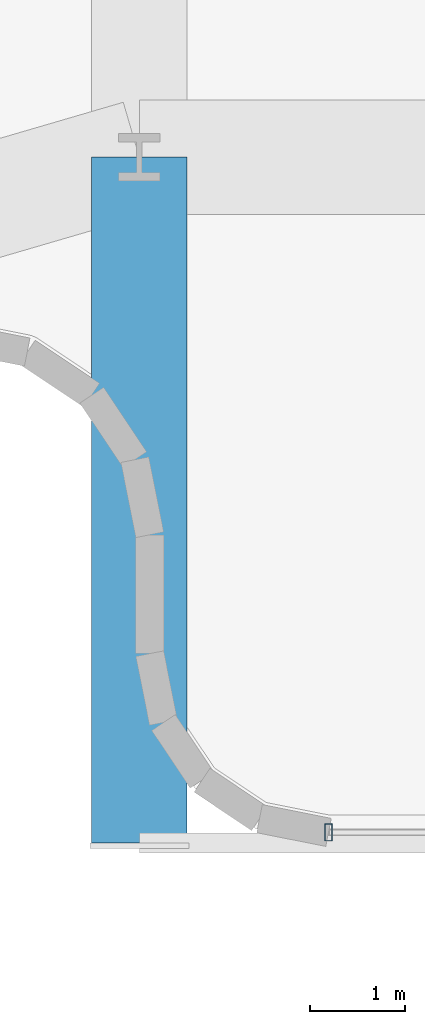
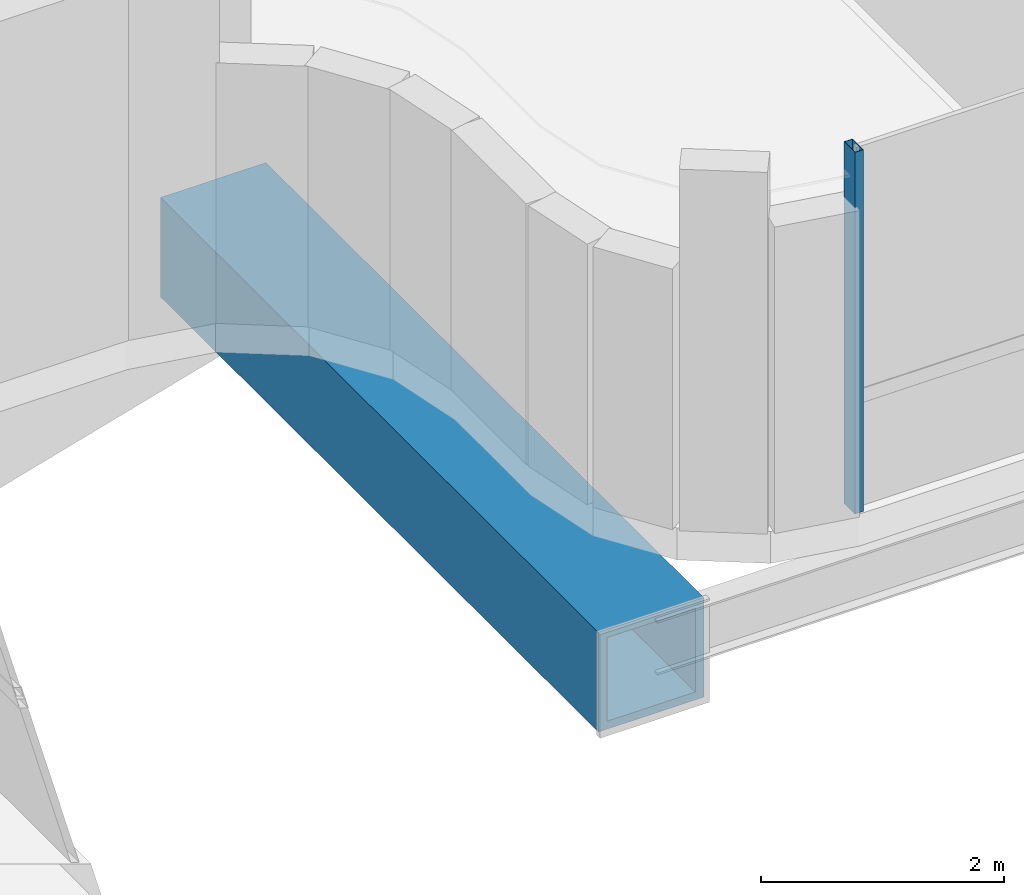
# One storey, part 6 of 36: 1 beam, 1 member, 1 element without a shape of its own.
"""IFC4 building model written with IfcOpenShell, lengths in metres."""

import ifcopenshell
import ifcopenshell.guid

model = None  # the IFC model being written
_history = None  # IfcOwnerHistory: only IFC2X3 demands one
_inside = {}  # id of a spatial element -> (the spatial element, [elements in it])
_under = {}  # id of a project, library or spatial element -> (it, [spatial elements below it])
_declared = {}  # id of a project -> (the project, [libraries it declares])
_typed = {}  # id of a type object -> (the type object, [elements of that type])
_made_of = {}  # id of a material, layer set ... -> (it, [elements and type objects made of it])


def new_model(schema):
    """Start an empty IFC model of exactly this schema.

    Asked for "IFC4X3", IfcOpenShell would pick the latest addendum, in which some entities
    have other attributes; the version numbers below select the first issue.
    IFC2X3 requires an IfcOwnerHistory on every rooted entity: one is made here for all.
    """
    global model, _history
    if schema == "IFC4X3":
        model = ifcopenshell.file(schema_version=(4, 3, 0, 0))
    else:
        model = ifcopenshell.file(schema=schema)
    _inside.clear()
    _under.clear()
    _declared.clear()
    _typed.clear()
    _made_of.clear()
    _history = None
    if model.schema == "IFC2X3":
        org = make("IfcOrganization", Name="unknown")
        user = make(
            "IfcPersonAndOrganization",
            ThePerson=make("IfcPerson", FamilyName="unknown"),
            TheOrganization=org,
        )
        app = make(
            "IfcApplication",
            ApplicationDeveloper=org,
            Version="unknown",
            ApplicationFullName="unknown",
            ApplicationIdentifier="unknown",
        )
        _history = make(
            "IfcOwnerHistory",
            OwningUser=user,
            OwningApplication=app,
            ChangeAction="ADDED",
            CreationDate=0,
        )
    return model


def make(cls, **values):
    """One entity of the class cls with the attributes given. An attribute that is None is left unset."""
    return model.create_entity(
        cls, **{name: value for name, value in values.items() if value is not None}
    )


def rooted(cls, **values):
    """An entity with a GlobalId (a new one), such as an element, a storey or a relation."""
    return make(cls, GlobalId=ifcopenshell.guid.new(), OwnerHistory=_history, **values)


def si_unit(unit_type, name, prefix=None):
    """IfcSIUnit, for example si_unit("LENGTHUNIT", "METRE", prefix="MILLI")."""
    return make("IfcSIUnit", UnitType=unit_type, Prefix=prefix, Name=name)


def assignment(units):
    """IfcUnitAssignment: the units of a project."""
    return None if units is None else make("IfcUnitAssignment", Units=units)


def point(xyz):
    """IfcCartesianPoint."""
    return None if xyz is None else make("IfcCartesianPoint", Coordinates=xyz)


def direction(xyz):
    """IfcDirection."""
    return None if xyz is None else make("IfcDirection", DirectionRatios=xyz)


def frame(location, z_axis=None, x_axis=None):
    """IfcAxis2Placement3D, a coordinate frame: its origin and axes. An axis left out is left unset."""
    return make(
        "IfcAxis2Placement3D",
        Location=point(location),
        Axis=direction(z_axis),
        RefDirection=direction(x_axis),
    )


def frame_2d(location, x_axis=None):
    """IfcAxis2Placement2D, a coordinate frame in the plane: its origin and x axis."""
    return make(
        "IfcAxis2Placement2D", Location=point(location), RefDirection=direction(x_axis)
    )


def origin():
    """The frame at (0, 0, 0) with its axes left unset."""
    return frame((0.0, 0.0, 0.0))


def origin_2d():
    """The frame at (0, 0) in the plane with its x axis left unset."""
    return frame_2d((0.0, 0.0))


def place(relative_to, where):
    """IfcLocalPlacement: puts the frame where relative to a parent placement (None: the world)."""
    return make(
        "IfcLocalPlacement", PlacementRelTo=relative_to, RelativePlacement=where
    )


def context(
    kind, dimensions, precision=None, world=None, true_north=None, identifier=None
):
    """IfcGeometricRepresentationContext, for example the 3D "Model" context."""
    return make(
        "IfcGeometricRepresentationContext",
        ContextIdentifier=identifier,
        ContextType=kind,
        CoordinateSpaceDimension=dimensions,
        Precision=precision,
        WorldCoordinateSystem=world,
        TrueNorth=true_north,
    )


def subcontext(parent, identifier, kind, view, scale=None):
    """IfcGeometricRepresentationSubContext, for example "Body" below "Model"."""
    return make(
        "IfcGeometricRepresentationSubContext",
        ContextIdentifier=identifier,
        ContextType=kind,
        ParentContext=parent,
        TargetScale=scale,
        TargetView=view,
    )


def project(units=None, contexts=None):
    """IfcProject with its units and contexts."""
    return rooted(
        "IfcProject",
        Name="project",
        RepresentationContexts=contexts,
        UnitsInContext=assignment(units),
    )


def spatial(cls, under=None, at=None, **own):
    """A site, building, storey or space (cls), placed at a placement, below another one or the project."""
    s = rooted(cls, ObjectPlacement=at, **own)
    if under is not None:
        _under.setdefault(under.id(), (under, []))[1].append(s)
    return s


def profile(cls, at=None, kind="AREA", **sizes):
    """A parametric profile (cls). Its sizes go by their IFC names, for example OverallWidth=200.0."""
    return make(cls, ProfileType=kind, Position=at, **sizes)


def hollow_rectangle(**sizes):
    """IfcRectangleHollowProfileDef."""
    return profile("IfcRectangleHollowProfileDef", **sizes)


def extrude(swept, where, along, depth):
    """IfcExtrudedAreaSolid: the profile swept, set in the frame where, extruded along a direction by depth."""
    return make(
        "IfcExtrudedAreaSolid",
        SweptArea=swept,
        Position=where,
        ExtrudedDirection=direction(along),
        Depth=depth,
    )


def shape(context_of_items, identifier, shape_type, items):
    """IfcShapeRepresentation: the items that make up one representation, for example the "Body"."""
    return make(
        "IfcShapeRepresentation",
        ContextOfItems=context_of_items,
        RepresentationIdentifier=identifier,
        RepresentationType=shape_type,
        Items=items,
    )


def source(mapping_origin, context_of_items, identifier, shape_type, items):
    """IfcRepresentationMap: a shape defined once, which mapped items show again and again."""
    return make(
        "IfcRepresentationMap",
        MappingOrigin=mapping_origin,
        MappedRepresentation=shape(context_of_items, identifier, shape_type, items),
    )


def transform(
    local_origin,
    x_axis=None,
    y_axis=None,
    z_axis=None,
    scale=None,
    scale2=None,
    scale3=None,
    uniform=True,
):
    """IfcCartesianTransformationOperator3D, or its non-uniform kind. x_axis, y_axis, z_axis: its Axis1, 2, 3."""
    if uniform:
        return make(
            "IfcCartesianTransformationOperator3D",
            Axis1=direction(x_axis),
            Axis2=direction(y_axis),
            LocalOrigin=point(local_origin),
            Scale=scale,
            Axis3=direction(z_axis),
        )
    return make(
        "IfcCartesianTransformationOperator3DnonUniform",
        Axis1=direction(x_axis),
        Axis2=direction(y_axis),
        LocalOrigin=point(local_origin),
        Scale=scale,
        Axis3=direction(z_axis),
        Scale2=scale2,
        Scale3=scale3,
    )


def mapped(mapping_source, mapping_target):
    """IfcMappedItem: shows the shape of a source again, moved by a transform."""
    return make(
        "IfcMappedItem", MappingSource=mapping_source, MappingTarget=mapping_target
    )


def material(Name=None, Category=None):
    """IfcMaterial."""
    return make("IfcMaterial", Name=Name, Category=Category)


def material_profile(
    of_material, cross_section, Name=None, Category=None, Priority=None
):
    """IfcMaterialProfile: a cross section and its material."""
    return make(
        "IfcMaterialProfile",
        Name=Name,
        Material=of_material,
        Profile=cross_section,
        Priority=Priority,
        Category=Category,
    )


def profile_set(profiles, Name=None, composite=None):
    """IfcMaterialProfileSet."""
    return make(
        "IfcMaterialProfileSet",
        Name=Name,
        MaterialProfiles=profiles,
        CompositeProfile=composite,
    )


def made_of(thing, what):
    """Note that an element or type object is made of a material, layer set ...; save() writes the relation."""
    if what is not None:
        _made_of.setdefault(what.id(), (what, []))[1].append(thing)
    return thing


def type_object(cls, material=None, **own):
    """A type object (cls), such as IfcWallType, which elements share."""
    return made_of(rooted(cls, **own), material)


def element(
    cls,
    number,
    at=None,
    inside=None,
    cuts=None,
    type_object=None,
    material=None,
    context=None,
    identifier="Body",
    shape_type=None,
    held_by="IfcProductDefinitionShape",
    body=None,
    shapes=None,
    **own,
):
    """One element of the class cls, such as IfcWall. Its Tag is "e" and its number.

    at: its placement. inside: the storey or other place that contains it. cuts: it is an
    opening in that element (IfcRelVoidsElement). A single representation is given by context,
    identifier, shape_type and body (its items); several are given by shapes. held_by: the class
    of the entity that holds the representations. save() writes the other relations.
    """
    e = rooted(cls, Tag="e%d" % number, ObjectPlacement=at, **own)
    if body is not None:
        shapes = [shape(context, identifier, shape_type, body)]
    if shapes is not None:
        e.Representation = make(held_by, Representations=shapes)
    if inside is not None:
        _inside.setdefault(inside.id(), (inside, []))[1].append(e)
    if cuts is not None:
        rooted(
            "IfcRelVoidsElement", RelatingBuildingElement=cuts, RelatedOpeningElement=e
        )
    if type_object is not None:
        _typed.setdefault(type_object.id(), (type_object, []))[1].append(e)
    return made_of(e, material)


def aggregate(whole, parts):
    """IfcRelAggregates: a whole, such as a stair, and the parts it consists of."""
    return rooted("IfcRelAggregates", RelatingObject=whole, RelatedObjects=parts)


def save(model, path):
    """Write the relations noted so far, then the file.

    IfcRelAggregates (storeys below a building ...), IfcRelContainedInSpatialStructure (elements
    in a storey), IfcRelDefinesByType, IfcRelAssociatesMaterial and IfcRelDeclares: one each for
    every whole, place, type object, material and project.
    """
    for whole, parts in _under.values():
        aggregate(whole, parts)
    for where, things in _inside.values():
        rooted(
            "IfcRelContainedInSpatialStructure",
            RelatedElements=things,
            RelatingStructure=where,
        )
    for kind, things in _typed.values():
        rooted("IfcRelDefinesByType", RelatedObjects=things, RelatingType=kind)
    for what, things in _made_of.values():
        rooted("IfcRelAssociatesMaterial", RelatedObjects=things, RelatingMaterial=what)
    for by, libraries in _declared.values():
        rooted("IfcRelDeclares", RelatingContext=by, RelatedDefinitions=libraries)
    model.write(path)


model = new_model("IFC4")

# Units and contexts
model_context = context("Model", 3, precision=1e-05, world=origin(), true_north=direction((0.0, 1.0)))
body_context = subcontext(model_context, "Body", "Model", "MODEL_VIEW")
ifc_project = project(units=[si_unit("LENGTHUNIT", "METRE"), si_unit("AREAUNIT", "SQUARE_METRE"), si_unit("VOLUMEUNIT", "CUBIC_METRE"), si_unit("PLANEANGLEUNIT", "RADIAN"), si_unit("MASSUNIT", "GRAM", prefix="KILO")], contexts=[model_context])

# Site, building, storey
site_placement = place(None, origin())
site = spatial("IfcSite", under=ifc_project, at=site_placement, CompositionType="ELEMENT")
building_placement = place(site_placement, origin())
building = spatial("IfcBuilding", under=site, at=building_placement, Name="Valdorenza Pilgrim Sanctuary Tower", CompositionType="ELEMENT")
storey_placement = place(building_placement, frame((0.0, 0.0, 176.550048828125)))
storey = spatial("IfcBuildingStorey", under=building, at=storey_placement, Name="L45", CompositionType="ELEMENT", Elevation=176.550048828125)

# Beam
ifc_material_1 = material(Name="Steel ASTM A572 Grade 42", Category="steel")
ifc_material_profile_1 = material_profile(ifc_material_1, hollow_rectangle(XDim=1.0, YDim=1.0, WallThickness=0.080078125, at=origin_2d()), Name="BOX 1000x1000x80")
ifc_profile_set_1 = profile_set([ifc_material_profile_1], Name="Steel ASTM A572 Grade 42")
beam_type = type_object("IfcBeamType", Name="STR-BM-PROW-CANT", PredefinedType="BEAM", material=ifc_profile_set_1)
shared_shape_1 = source(origin(), body_context, "Body", "SweptSolid", [
    extrude(hollow_rectangle(XDim=1.0, YDim=1.0, WallThickness=0.080078125, at=origin_2d()), origin(), (0.0, 0.0, 1.0), 7.199951171875),
])
beam_placement = place(storey_placement, frame((-3.5, 0.0, -0.820068359375), z_axis=(0.0, -1.0, 0.0), x_axis=(1.0, 0.0, 0.0)))
element("IfcBeam", 1, at=beam_placement, inside=storey, type_object=beam_type, Name="L45 South Sanctuary Prow Cantilever PROW-CANT-S-W", PredefinedType="BEAM", context=body_context, shape_type="MappedRepresentation", body=[
    mapped(shared_shape_1, transform((0.0, 0.0, 0.0), x_axis=(1.0, 0.0, 0.0), y_axis=(0.0, 1.0, 0.0), z_axis=(0.0, 0.0, 1.0), scale=1.0)),
])

# Curtain wall, member
ifc_material_2 = material(Name="Curtain-wall IGU glazing", Category="glass")
curtain_wall_type = type_object("IfcCurtainWallType", Name="CW-SYS-05", PredefinedType="NOTDEFINED", material=ifc_material_2)
curtain_wall_placement = place(storey_placement, origin())
curtain_wall = element("IfcCurtainWall", 2, at=curtain_wall_placement, inside=storey, type_object=curtain_wall_type, Name="L45 Curtain Wall CW-L45-1-62", PredefinedType="NOTDEFINED")
ifc_material_3 = material(Name="Anodised aluminium AW-6060", Category="aluminium")
ifc_material_profile_2 = material_profile(ifc_material_3, hollow_rectangle(XDim=0.080078125, YDim=0.179931640625, WallThickness=0.00439453125, at=origin_2d()), Name="ALU-M 180x80x4.5")
ifc_profile_set_2 = profile_set([ifc_material_profile_2], Name="Anodised aluminium AW-6060")
member_type = type_object("IfcMemberType", Name="CW-MUL-05", PredefinedType="MULLION", material=ifc_profile_set_2)
shared_shape_2 = source(origin(), body_context, "Body", "SweptSolid", [
    extrude(hollow_rectangle(XDim=0.080078125, YDim=0.179931640625, WallThickness=0.00439453125, at=origin_2d()), origin(), (0.0, 0.0, 1.0), 3.6298828125),
])
member_placement = place(storey_placement, frame((-1.51318359375, -7.090087890625, 0.0), z_axis=(0.0, 0.0, 1.0), x_axis=(-1.0, 0.0, 0.0)))
member = element("IfcMember", 3, at=member_placement, type_object=member_type, Name="CW-L45-1-62 Mullion 3", PredefinedType="MULLION", context=body_context, shape_type="MappedRepresentation", body=[
    mapped(shared_shape_2, transform((0.0, 0.0, 0.0), x_axis=(1.0, 0.0, 0.0), y_axis=(0.0, 1.0, 0.0), z_axis=(0.0, 0.0, 1.0), scale=1.0)),
])
aggregate(curtain_wall, [member])

save(model, "model.ifc")
